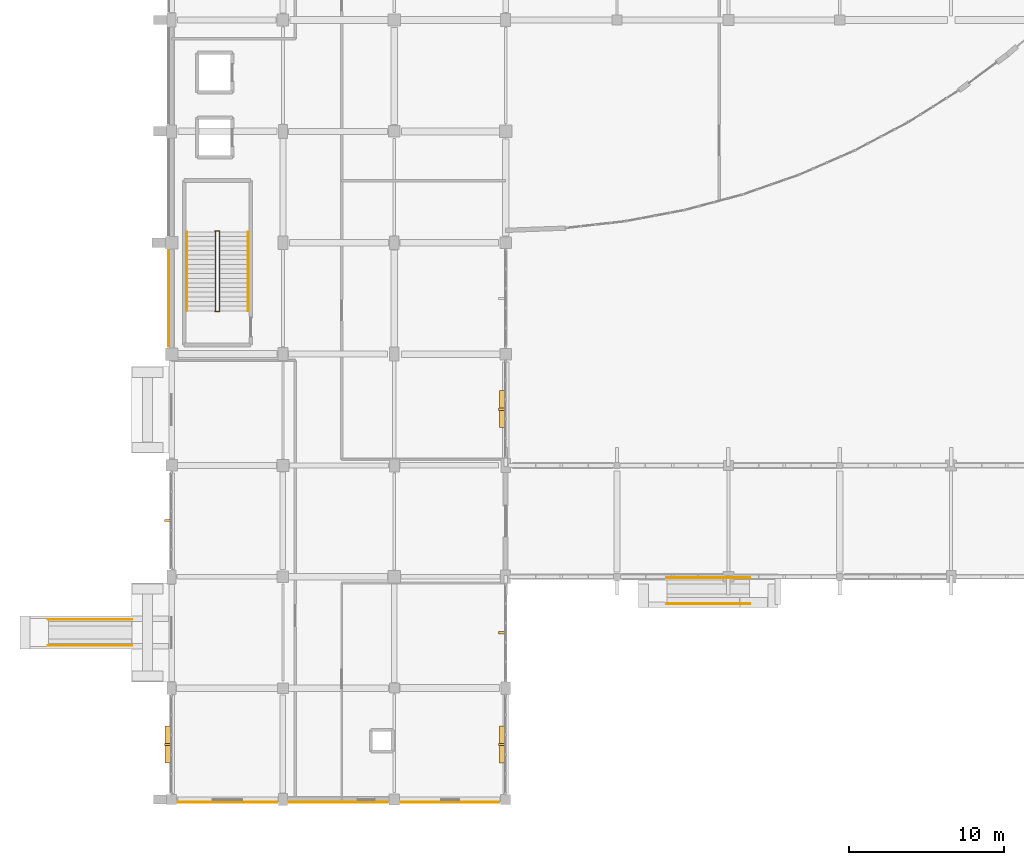
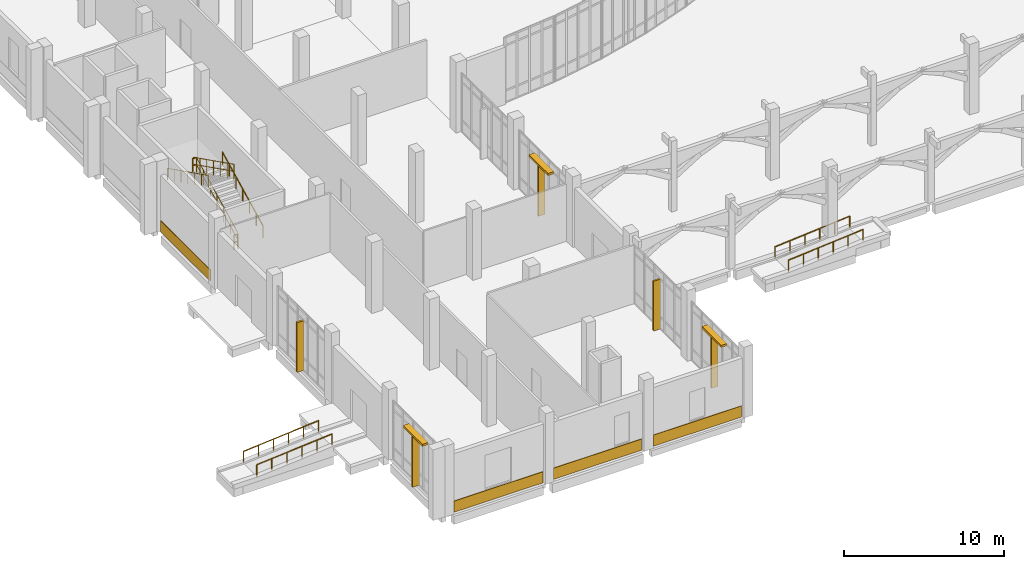
# One storey, part 100 of 110: 10 railings, 8 shading devices, 4 coverings.
"""IFC4 building model written with IfcOpenShell, lengths in metres."""

from ifc_helpers import new_model, si_unit, direction, frame, origin, origin_2d, place, context, subcontext, project, spatial, rectangle, circle, extrude, material, layer, layer_set, type_object, element, save


model = new_model("IFC4")

# Units and contexts
model_context = context("Model", 3, precision=1e-05, world=origin(), true_north=direction((0.0, 1.0)))
body_context = subcontext(model_context, "Body", "Model", "MODEL_VIEW")
ifc_project = project(units=[si_unit("LENGTHUNIT", "METRE"), si_unit("AREAUNIT", "SQUARE_METRE"), si_unit("VOLUMEUNIT", "CUBIC_METRE"), si_unit("PLANEANGLEUNIT", "RADIAN"), si_unit("MASSUNIT", "GRAM", prefix="KILO")], contexts=[model_context])

# Site, building, storey
site_placement = place(None, origin())
site = spatial("IfcSite", under=ifc_project, at=site_placement, CompositionType="ELEMENT")
building_placement = place(site_placement, origin())
building = spatial("IfcBuilding", under=site, at=building_placement, Name="Kalluvel Institute of Natural Sciences", CompositionType="ELEMENT")
storey_placement = place(building_placement, origin())
storey = spatial("IfcBuildingStorey", under=building, at=storey_placement, Name="L00", CompositionType="ELEMENT", Elevation=0.0)

# Coverings
ifc_material_1 = material(Name="Sadarahalli Grey Granite Ashlar Concrete M40", Category="masonry")
ifc_layer = layer(ifc_material_1, 0.044921875)
ifc_layer_set = layer_set([ifc_layer], Name="Sadarahalli Grey Granite Ashlar Concrete M40")
covering_type = type_object("IfcCoveringType", Name="COV-CLAD-STONE", PredefinedType="CLADDING", material=ifc_layer_set)
covering_1_placement = place(storey_placement, frame((13.820068359375, 46.39990234375, 0.02490234375), z_axis=(0.0, 0.0, 1.0), x_axis=(0.0, 1.0, 0.0)))
element("IfcCovering", 1, at=covering_1_placement, inside=storey, type_object=covering_type, Name="L00 Sadarahalli granite plinth spandrel cladding 129", PredefinedType="CLADDING", context=body_context, shape_type="SweptSolid", body=[
    extrude(rectangle(XDim=6.239990234375, YDim=0.044921875, at=origin_2d()), origin(), (0.0, 0.0, 1.0), 0.85009765625),
])
covering_2_placement = place(storey_placement, frame((17.612548828125, 13.830078125, 0.02490234375), z_axis=(0.0, 0.0, 1.0), x_axis=(1.0, 0.0, 0.0)))
element("IfcCovering", 2, at=covering_2_placement, inside=storey, type_object=covering_type, Name="L00 Sadarahalli granite plinth spandrel cladding 135", PredefinedType="CLADDING", context=body_context, shape_type="SweptSolid", body=[
    extrude(rectangle(XDim=6.4150390625, YDim=0.044921875, at=origin_2d()), origin(), (0.0, 0.0, 1.0), 0.85009765625),
])
covering_3_placement = place(storey_placement, frame((24.77490234375, 13.830078125, 0.02490234375), z_axis=(0.0, 0.0, 1.0), x_axis=(1.0, 0.0, 0.0)))
element("IfcCovering", 3, at=covering_3_placement, inside=storey, type_object=covering_type, Name="L00 Sadarahalli granite plinth spandrel cladding 136", PredefinedType="CLADDING", context=body_context, shape_type="SweptSolid", body=[
    extrude(rectangle(XDim=6.389892578125, YDim=0.044921875, at=origin_2d()), origin(), (0.0, 0.0, 1.0), 0.85009765625),
])
covering_4_placement = place(storey_placement, frame((32.012451171875, 13.830078125, 0.02490234375), z_axis=(0.0, 0.0, 1.0), x_axis=(1.0, 0.0, 0.0)))
element("IfcCovering", 4, at=covering_4_placement, inside=storey, type_object=covering_type, Name="L00 Sadarahalli granite plinth spandrel cladding 137", PredefinedType="CLADDING", context=body_context, shape_type="SweptSolid", body=[
    extrude(rectangle(XDim=6.364990234375, YDim=0.044921875, at=origin_2d()), origin(), (0.0, 0.0, 1.0), 0.85009765625),
])

# Railings
ifc_material_2 = material(Name="Galvanized Fire-Rated Steel", Category="steel")
railing_type_1 = type_object("IfcRailingType", Name="RL-GD-STAIR", PredefinedType="BALUSTRADE", material=ifc_material_2)
railing_1_placement = place(storey_placement, frame((17.090087890625, 45.60009765625, 0.14990234375)))
element("IfcRailing", 5, at=railing_1_placement, inside=storey, type_object=railing_type_1, Name="L00 ST4 stair guard 1", PredefinedType="BALUSTRADE", context=body_context, shape_type="SweptSolid", body=[
    extrude(circle(Radius=0.02392578125, at=origin_2d()), frame((0.0, 0.0, 1.09619140625), z_axis=(0.0, 0.894418627299, 0.447230722492), x_axis=(-1.0, 0.0, 0.0)), (0.0, 0.0, 1.0), 5.701904296875),
    extrude(circle(Radius=0.02392578125, at=origin_2d()), frame((0.0, 0.0, 0.56005859375), z_axis=(0.0, 0.894418627299, 0.447230722492), x_axis=(-1.0, 0.0, 0.0)), (0.0, 0.0, 1.0), 5.701904296875),
    extrude(circle(Radius=0.02099609375, at=origin_2d()), origin(), (0.0, 0.0, 1.0), 1.072021484375),
    extrude(circle(Radius=0.02099609375, at=origin_2d()), frame((0.0, 0.85009765625, 0.425048828125)), (0.0, 0.0, 1.0), 1.072021484375),
    extrude(circle(Radius=0.02099609375, at=origin_2d()), frame((0.0, 1.699951171875, 0.85009765625)), (0.0, 0.0, 1.0), 1.072021484375),
    extrude(circle(Radius=0.02099609375, at=origin_2d()), frame((0.0, 2.5498046875, 1.27490234375)), (0.0, 0.0, 1.0), 1.072021484375),
    extrude(circle(Radius=0.02099609375, at=origin_2d()), frame((0.0, 3.39990234375, 1.699951171875)), (0.0, 0.0, 1.0), 1.072021484375),
    extrude(circle(Radius=0.02099609375, at=origin_2d()), frame((0.0, 4.25, 2.125)), (0.0, 0.0, 1.0), 1.072021484375),
    extrude(circle(Radius=0.02099609375, at=origin_2d()), frame((0.0, 5.099853515625, 2.550048828125)), (0.0, 0.0, 1.0), 1.072021484375),
])
railing_2_placement = place(storey_placement, frame((17.10498046875, 50.75, 2.699951171875)))
element("IfcRailing", 6, at=railing_2_placement, inside=storey, type_object=railing_type_1, Name="L00 ST4 stair guard 2", PredefinedType="BALUSTRADE", context=body_context, shape_type="SweptSolid", body=[
    extrude(circle(Radius=0.02392578125, at=origin_2d()), frame((0.0, 0.0, 1.09619140625), z_axis=(-1.0, 0.0, 0.0), x_axis=(0.0, -1.0, 0.0)), (0.0, 0.0, 1.0), 0.280029296875),
    extrude(circle(Radius=0.02392578125, at=origin_2d()), frame((0.0, 0.0, 0.56005859375), z_axis=(-1.0, 0.0, 0.0), x_axis=(0.0, -1.0, 0.0)), (0.0, 0.0, 1.0), 0.280029296875),
    extrude(circle(Radius=0.02099609375, at=origin_2d()), origin(), (0.0, 0.0, 1.0), 1.072021484375),
    extrude(circle(Radius=0.02099609375, at=origin_2d()), frame((-0.280029296875, 0.0, 0.0)), (0.0, 0.0, 1.0), 1.072021484375),
])
railing_3_placement = place(storey_placement, frame((16.840087890625, 50.699951171875, 2.85009765625)))
element("IfcRailing", 7, at=railing_3_placement, inside=storey, type_object=railing_type_1, Name="L00 ST4 stair guard 3", PredefinedType="BALUSTRADE", context=body_context, shape_type="SweptSolid", body=[
    extrude(circle(Radius=0.02392578125, at=origin_2d()), frame((0.0, 0.0, 1.09619140625), z_axis=(0.0, -0.894435754537, 0.447196468016), x_axis=(1.0, 0.0, 0.0)), (0.0, 0.0, 1.0), 5.70166015625),
    extrude(circle(Radius=0.02392578125, at=origin_2d()), frame((0.0, 0.0, 0.56005859375), z_axis=(0.0, -0.894435754537, 0.447196468016), x_axis=(1.0, 0.0, 0.0)), (0.0, 0.0, 1.0), 5.70166015625),
    extrude(circle(Radius=0.02099609375, at=origin_2d()), origin(), (0.0, 0.0, 1.0), 1.072021484375),
    extrude(circle(Radius=0.02099609375, at=origin_2d()), frame((0.0, -0.85009765625, 0.425048828125)), (0.0, 0.0, 1.0), 1.072021484375),
    extrude(circle(Radius=0.02099609375, at=origin_2d()), frame((0.0, -1.699951171875, 0.849853515625)), (0.0, 0.0, 1.0), 1.072021484375),
    extrude(circle(Radius=0.02099609375, at=origin_2d()), frame((0.0, -2.5498046875, 1.27490234375)), (0.0, 0.0, 1.0), 1.072021484375),
    extrude(circle(Radius=0.02099609375, at=origin_2d()), frame((0.0, -3.39990234375, 1.699951171875)), (0.0, 0.0, 1.0), 1.072021484375),
    extrude(circle(Radius=0.02099609375, at=origin_2d()), frame((0.0, -4.25, 2.124755859375)), (0.0, 0.0, 1.0), 1.072021484375),
    extrude(circle(Radius=0.02099609375, at=origin_2d()), frame((0.0, -5.099853515625, 2.5498046875)), (0.0, 0.0, 1.0), 1.072021484375),
])
railing_4_placement = place(storey_placement, frame((17.10498046875, 45.550048828125, 0.0)))
element("IfcRailing", 8, at=railing_4_placement, inside=storey, type_object=railing_type_1, Name="L00 ST4 stair guard 4", PredefinedType="BALUSTRADE", context=body_context, shape_type="SweptSolid", body=[
    extrude(circle(Radius=0.02392578125, at=origin_2d()), frame((0.0, 0.0, 1.09619140625), z_axis=(-1.0, 0.0, 0.0), x_axis=(0.0, -1.0, 0.0)), (0.0, 0.0, 1.0), 0.280029296875),
    extrude(circle(Radius=0.02392578125, at=origin_2d()), frame((0.0, 0.0, 0.56005859375), z_axis=(-1.0, 0.0, 0.0), x_axis=(0.0, -1.0, 0.0)), (0.0, 0.0, 1.0), 0.280029296875),
    extrude(circle(Radius=0.02099609375, at=origin_2d()), origin(), (0.0, 0.0, 1.0), 1.072021484375),
    extrude(circle(Radius=0.02099609375, at=origin_2d()), frame((-0.280029296875, 0.0, 0.0)), (0.0, 0.0, 1.0), 1.072021484375),
])
railing_type_2 = type_object("IfcRailingType", Name="RL-HR-RAMP", PredefinedType="HANDRAIL", material=ifc_material_2)
for number, where, name in (
    (9, (46.0, 26.659912109375, -0.449951171875), "R2 accessible ramp handrail 1"),
    (10, (46.0, 28.340087890625, -0.449951171875), "R2 accessible ramp handrail 2"),
):
    element("IfcRailing", number, at=place(storey_placement, frame(where)), inside=storey, type_object=railing_type_2, Name=name, PredefinedType="HANDRAIL", context=body_context, shape_type="SweptSolid", body=[
        extrude(circle(Radius=0.02392578125, at=origin_2d()), frame((0.0, 0.0, 0.89599609375), z_axis=(0.996546379678, 0.0, 0.083038022323), x_axis=(0.0, 1.0, 0.0)), (0.0, 0.0, 1.0), 5.418701171875),
        extrude(circle(Radius=0.02099609375, at=origin_2d()), origin(), (0.0, 0.0, 1.0), 0.871826171875),
        extrude(circle(Radius=0.02099609375, at=origin_2d()), frame((1.080078125, 0.0, 0.090087890625)), (0.0, 0.0, 1.0), 0.871826171875),
        extrude(circle(Radius=0.02099609375, at=origin_2d()), frame((2.159912109375, 0.0, 0.179931640625)), (0.0, 0.0, 1.0), 0.871826171875),
        extrude(circle(Radius=0.02099609375, at=origin_2d()), frame((3.239990234375, 0.0, 0.27001953125)), (0.0, 0.0, 1.0), 0.871826171875),
        extrude(circle(Radius=0.02099609375, at=origin_2d()), frame((4.31982421875, 0.0, 0.35986328125)), (0.0, 0.0, 1.0), 0.871826171875),
        extrude(circle(Radius=0.02099609375, at=origin_2d()), frame((5.39990234375, 0.0, 0.449951171875)), (0.0, 0.0, 1.0), 0.871826171875),
    ])
for number, where, name in (
    (11, (6.0, 23.9599609375, -0.449951171875), "R5 accessible ramp handrail 1"),
    (12, (6.0, 25.639892578125, -0.449951171875), "R5 accessible ramp handrail 2"),
):
    element("IfcRailing", number, at=place(storey_placement, frame(where)), inside=storey, type_object=railing_type_2, Name=name, PredefinedType="HANDRAIL", context=body_context, shape_type="SweptSolid", body=[
        extrude(circle(Radius=0.02392578125, at=origin_2d()), frame((0.0, 0.0, 0.89599609375), z_axis=(0.996584278396, 0.0, 0.082581935393), x_axis=(0.0, 1.0, 0.0)), (0.0, 0.0, 1.0), 5.448486328125),
        extrude(circle(Radius=0.02099609375, at=origin_2d()), origin(), (0.0, 0.0, 1.0), 0.871826171875),
        extrude(circle(Radius=0.02099609375, at=origin_2d()), frame((1.0859375, 0.0, 0.090087890625)), (0.0, 0.0, 1.0), 0.871826171875),
        extrude(circle(Radius=0.02099609375, at=origin_2d()), frame((2.171875, 0.0, 0.179931640625)), (0.0, 0.0, 1.0), 0.871826171875),
        extrude(circle(Radius=0.02099609375, at=origin_2d()), frame((3.258056640625, 0.0, 0.27001953125)), (0.0, 0.0, 1.0), 0.871826171875),
        extrude(circle(Radius=0.02099609375, at=origin_2d()), frame((4.343994140625, 0.0, 0.35986328125)), (0.0, 0.0, 1.0), 0.871826171875),
        extrude(circle(Radius=0.02099609375, at=origin_2d()), frame((5.429931640625, 0.0, 0.449951171875)), (0.0, 0.0, 1.0), 0.871826171875),
    ])
railing_type_3 = type_object("IfcRailingType", Name="RL-HR-STAIR", PredefinedType="HANDRAIL", material=ifc_material_2)
railing_5_placement = place(storey_placement, frame((18.949951171875, 45.60009765625, 0.14990234375)))
element("IfcRailing", 13, at=railing_5_placement, inside=storey, type_object=railing_type_3, Name="L00 ST4 stair handrail 1", PredefinedType="HANDRAIL", context=body_context, shape_type="SweptSolid", body=[
    extrude(circle(Radius=0.02392578125, at=origin_2d()), frame((0.0, 0.0, 0.89599609375), z_axis=(0.0, 0.894418627299, 0.447230722492), x_axis=(-1.0, 0.0, 0.0)), (0.0, 0.0, 1.0), 5.701904296875),
    extrude(circle(Radius=0.02099609375, at=origin_2d()), origin(), (0.0, 0.0, 1.0), 0.871826171875),
    extrude(circle(Radius=0.02099609375, at=origin_2d()), frame((0.0, 0.85009765625, 0.425048828125)), (0.0, 0.0, 1.0), 0.871826171875),
    extrude(circle(Radius=0.02099609375, at=origin_2d()), frame((0.0, 1.699951171875, 0.85009765625)), (0.0, 0.0, 1.0), 0.871826171875),
    extrude(circle(Radius=0.02099609375, at=origin_2d()), frame((0.0, 2.5498046875, 1.27490234375)), (0.0, 0.0, 1.0), 0.871826171875),
    extrude(circle(Radius=0.02099609375, at=origin_2d()), frame((0.0, 3.39990234375, 1.699951171875)), (0.0, 0.0, 1.0), 0.871826171875),
    extrude(circle(Radius=0.02099609375, at=origin_2d()), frame((0.0, 4.25, 2.125)), (0.0, 0.0, 1.0), 0.871826171875),
    extrude(circle(Radius=0.02099609375, at=origin_2d()), frame((0.0, 5.099853515625, 2.550048828125)), (0.0, 0.0, 1.0), 0.871826171875),
])
railing_6_placement = place(storey_placement, frame((14.97998046875, 50.699951171875, 2.85009765625)))
element("IfcRailing", 14, at=railing_6_placement, inside=storey, type_object=railing_type_3, Name="L00 ST4 stair handrail 2", PredefinedType="HANDRAIL", context=body_context, shape_type="SweptSolid", body=[
    extrude(circle(Radius=0.02392578125, at=origin_2d()), frame((0.0, 0.0, 0.89599609375), z_axis=(0.0, -0.894435754537, 0.447196468016), x_axis=(1.0, 0.0, 0.0)), (0.0, 0.0, 1.0), 5.70166015625),
    extrude(circle(Radius=0.02099609375, at=origin_2d()), origin(), (0.0, 0.0, 1.0), 0.871826171875),
    extrude(circle(Radius=0.02099609375, at=origin_2d()), frame((0.0, -0.85009765625, 0.425048828125)), (0.0, 0.0, 1.0), 0.871826171875),
    extrude(circle(Radius=0.02099609375, at=origin_2d()), frame((0.0, -1.699951171875, 0.849853515625)), (0.0, 0.0, 1.0), 0.871826171875),
    extrude(circle(Radius=0.02099609375, at=origin_2d()), frame((0.0, -2.5498046875, 1.27490234375)), (0.0, 0.0, 1.0), 0.871826171875),
    extrude(circle(Radius=0.02099609375, at=origin_2d()), frame((0.0, -3.39990234375, 1.699951171875)), (0.0, 0.0, 1.0), 0.871826171875),
    extrude(circle(Radius=0.02099609375, at=origin_2d()), frame((0.0, -4.25, 2.124755859375)), (0.0, 0.0, 1.0), 0.871826171875),
    extrude(circle(Radius=0.02099609375, at=origin_2d()), frame((0.0, -5.099853515625, 2.5498046875)), (0.0, 0.0, 1.0), 0.871826171875),
])

# Shading devices
shading_device_type_1 = type_object("IfcShadingDeviceType", Name="SHD-FIN-STONE", PredefinedType="USERDEFINED", material=ifc_material_1)
for number, where, z_axis, x_axis, name in (
    (15, (13.780029296875, 17.5625, 0.0), (0.0, 0.0, 1.0), (0.0, 1.0, 0.0), "L00 monsoon lancet shading fin 114"),
    (16, (13.780029296875, 32.03759765625, 0.0), (0.0, 0.0, 1.0), (0.0, 1.0, 0.0), "L00 monsoon lancet shading fin 116"),
    (17, (35.3798828125, 17.5625, 0.0), (0.0, 0.0, 1.0), (0.0, 1.0, 0.0), "L00 monsoon lancet shading fin 120"),
    (18, (35.3798828125, 24.78759765625, 0.0), (0.0, 0.0, 1.0), (0.0, 1.0, 0.0), "L00 monsoon lancet shading fin 122"),
    (19, (35.3798828125, 39.237548828125, 0.0), (0.0, 0.0, 1.0), (0.0, 1.0, 0.0), "L00 monsoon lancet shading fin 123"),
):
    element("IfcShadingDevice", number, at=place(storey_placement, frame(where, z_axis=z_axis, x_axis=x_axis)), inside=storey, type_object=shading_device_type_1, Name=name, ObjectType="MONSOON FIN", PredefinedType="USERDEFINED", context=body_context, shape_type="SweptSolid", body=[
        extrude(rectangle(XDim=0.139892578125, YDim=0.47998046875, at=origin_2d()), origin(), (0.0, 0.0, 1.0), 3.800048828125),
    ])
ifc_material_3 = material(Name="Aluminium AW-6063 T6", Category="aluminium")
shading_device_type_2 = type_object("IfcShadingDeviceType", Name="SHD-LOUV-ALU", PredefinedType="JALOUSIE", material=ifc_material_3)
for number, where, z_axis, x_axis, name in (
    (20, (13.800048828125, 17.5625, 3.7900390625), (0.0, 0.0, 1.0), (0.0, 1.0, 0.0), "L00 aluminium sun-shading louvre 115"),
    (21, (35.39990234375, 17.5625, 3.7900390625), (0.0, 0.0, 1.0), (0.0, 1.0, 0.0), "L00 aluminium sun-shading louvre 121"),
    (22, (35.39990234375, 39.237548828125, 3.7900390625), (0.0, 0.0, 1.0), (0.0, 1.0, 0.0), "L00 aluminium sun-shading louvre 124"),
):
    element("IfcShadingDevice", number, at=place(storey_placement, frame(where, z_axis=z_axis, x_axis=x_axis)), inside=storey, type_object=shading_device_type_2, Name=name, PredefinedType="JALOUSIE", context=body_context, shape_type="SweptSolid", body=[
        extrude(rectangle(XDim=2.39990234375, YDim=0.419921875, at=origin_2d()), origin(), (0.0, 0.0, 1.0), 0.159912109375),
    ])

save(model, "model.ifc")
